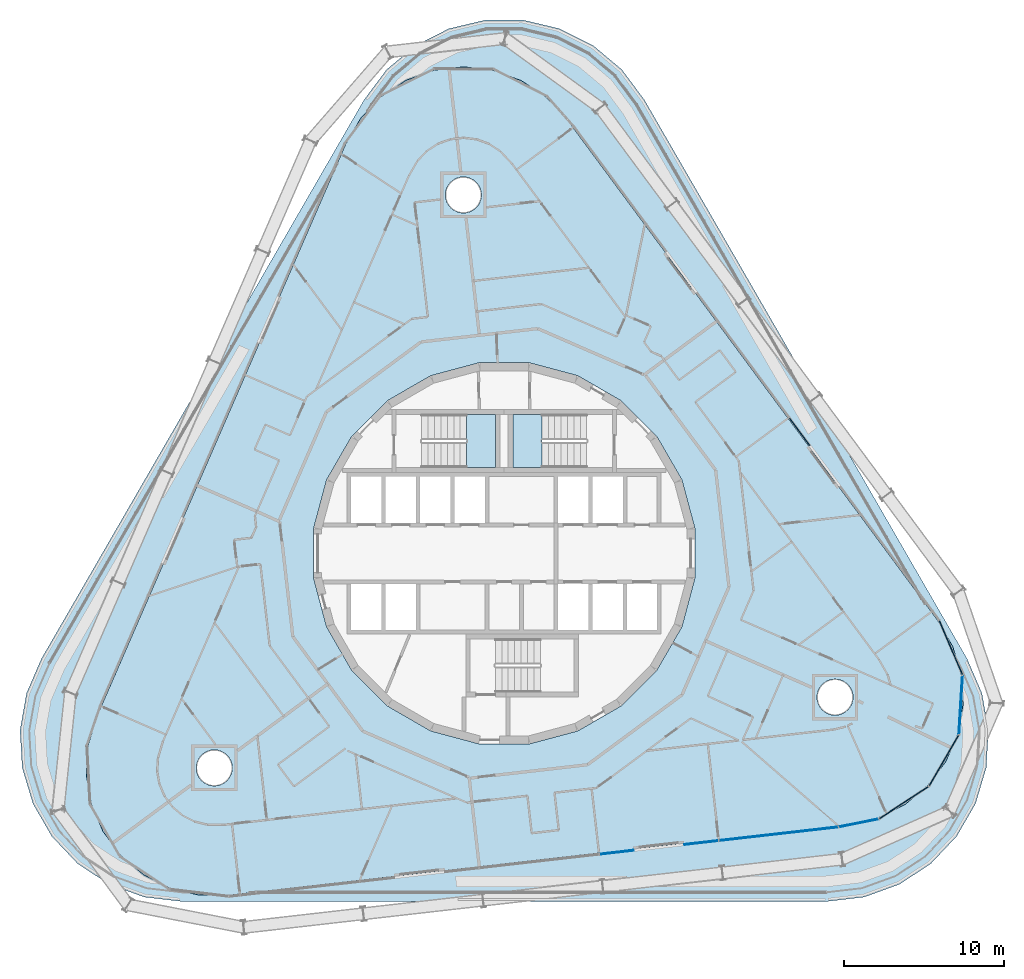
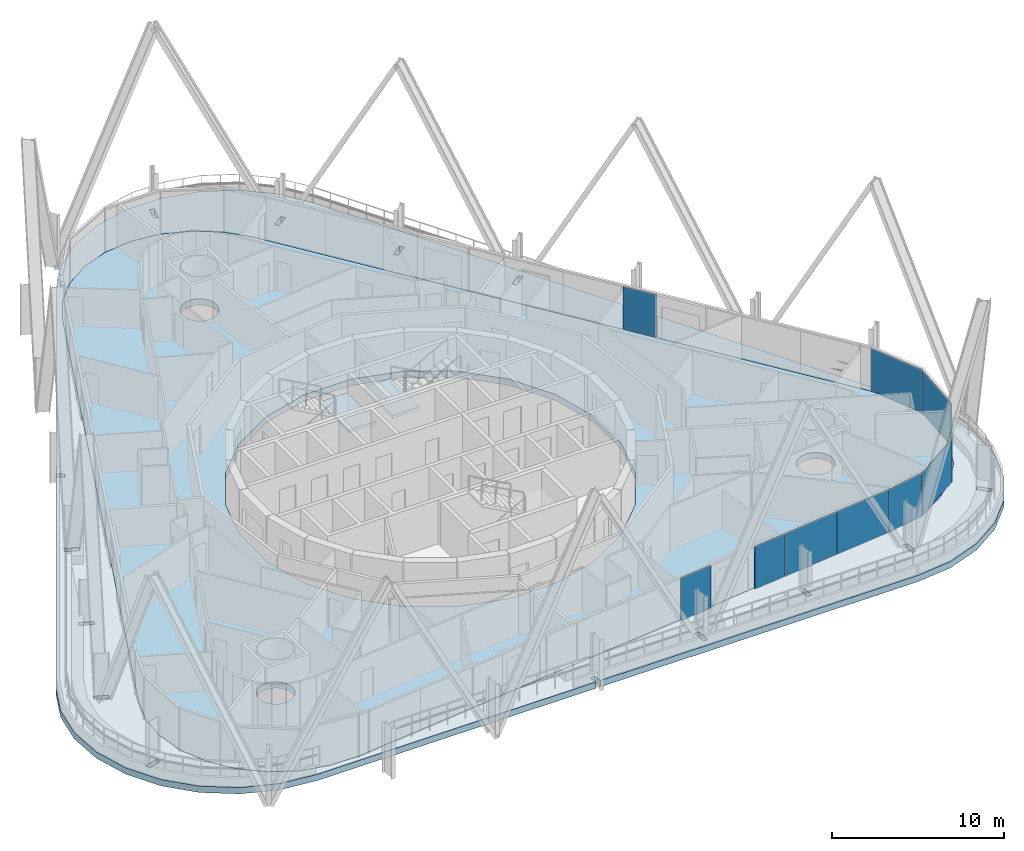
# One storey, part 14 of 32: 10 plates, 4 slabs, 5 elements without a shape of their own.
"""IFC4 building model written with IfcOpenShell, lengths in metres."""

from ifc_helpers import new_model, si_unit, direction, frame, origin, origin_2d, place, context, subcontext, project, spatial, polyline, rectangle, outline, extrude, material, layer, layer_set, type_object, element, aggregate, save


model = new_model("IFC4")

# Units and contexts
model_context = context("Model", 3, precision=1e-05, world=origin(), true_north=direction((0.0, 1.0)))
body_context = subcontext(model_context, "Body", "Model", "MODEL_VIEW")
ifc_project = project(units=[si_unit("LENGTHUNIT", "METRE"), si_unit("AREAUNIT", "SQUARE_METRE"), si_unit("VOLUMEUNIT", "CUBIC_METRE"), si_unit("PLANEANGLEUNIT", "RADIAN"), si_unit("MASSUNIT", "GRAM", prefix="KILO")], contexts=[model_context])

# Site, building, storey
site_placement = place(None, origin())
site = spatial("IfcSite", under=ifc_project, at=site_placement, CompositionType="ELEMENT")
building_placement = place(site_placement, origin())
building = spatial("IfcBuilding", under=site, at=building_placement, Name="Spindle Arch Residences", CompositionType="ELEMENT")
storey_placement = place(building_placement, frame((0.0, 0.0, 76.699951171875)))
storey = spatial("IfcBuildingStorey", under=building, at=storey_placement, Name="L17", CompositionType="ELEMENT", Elevation=76.699951171875)

# Slab
ifc_material_1 = material(Name="Concrete C40/50", Category="concrete")
ifc_layer_1 = layer(ifc_material_1, 0.449951171875)
ifc_layer_set_1 = layer_set([ifc_layer_1], Name="Compartment floor slab 450")
slab_type_1 = type_object("IfcSlabType", Name="Compartment floor slab 450", PredefinedType="FLOOR", material=ifc_layer_set_1)
slab_1_placement = place(storey_placement, frame((0.0, 0.0, -0.449951171875)))
element("IfcSlab", 1, at=slab_1_placement, inside=storey, type_object=slab_type_1, Name="Floor slab L17", PredefinedType="FLOOR", context=body_context, shape_type="SweptSolid", body=[
    extrude(outline(polyline([(-19.05078125, -21.335693359375), (-20.85693359375, -20.902099609375), (-22.514404296875, -20.0634765625), (-23.933837890625, -18.865478515625), (-25.038818359375, -17.372314453125), (-25.769287109375, -15.66455078125), (-26.086669921875, -13.83447265625), (-25.973388671875, -11.98046875), (-25.435302734375, -10.202392578125), (-9.88525390625, 25.560302734375), (-8.951904296875, 27.166259765625), (-7.673095703125, 28.513671875), (-6.118408203125, 29.52978515625), (-4.37109375, 30.159912109375), (-2.525390625, 30.370361328125), (-0.68115234375, 30.1494140625), (1.0625, 29.5087890625), (2.611328125, 28.483642578125), (3.882080078125, 27.12890625), (27.07861328125, -4.21923828125), (28.002685546875, -5.83056640625), (28.530029296875, -7.611572265625), (28.6328125, -9.46630859375), (28.304931640625, -11.294677734375), (27.564208984375, -12.998046875), (26.45068359375, -14.484619140625), (25.0244140625, -15.674560546875), (23.36181640625, -16.50341796875), (21.55322265625, -16.926513671875), (2.179931640625, -19.1337890625), (-17.193115234375, -21.341064453125), (-19.05078125, -21.335693359375)]), holes=[polyline([(7.30517578125, -9.520263671875), (9.520263671875, -7.30517578125), (11.086669921875, -4.59228515625), (11.897216796875, -1.56640625), (11.897216796875, 1.56640625), (11.086669921875, 4.59228515625), (9.520263671875, 7.30517578125), (7.30517578125, 9.520263671875), (4.59228515625, 11.086669921875), (1.56640625, 11.897216796875), (-1.56640625, 11.897216796875), (-4.59228515625, 11.086669921875), (-7.30517578125, 9.520263671875), (-9.520263671875, 7.30517578125), (-11.086669921875, 4.59228515625), (-11.897216796875, 1.56640625), (-11.897216796875, -1.56640625), (-11.086669921875, -4.59228515625), (-9.520263671875, -7.30517578125), (-7.30517578125, -9.520263671875), (-4.59228515625, -11.086669921875), (-1.56640625, -11.897216796875), (1.56640625, -11.897216796875), (4.59228515625, -11.086669921875), (7.30517578125, -9.520263671875)]), polyline([(-17.303466796875, -14.18798828125), (-17.16357421875, -14.017578125), (-17.0595703125, -13.822998046875), (-16.99560546875, -13.612060546875), (-16.973876953125, -13.392578125), (-16.99560546875, -13.173095703125), (-17.0595703125, -12.9619140625), (-17.16357421875, -12.767578125), (-17.303466796875, -12.596923828125), (-17.473876953125, -12.45703125), (-17.66845703125, -12.35302734375), (-17.87939453125, -12.2890625), (-18.098876953125, -12.267578125), (-18.318359375, -12.2890625), (-18.529296875, -12.35302734375), (-18.723876953125, -12.45703125), (-18.894287109375, -12.596923828125), (-19.0341796875, -12.767578125), (-19.13818359375, -12.9619140625), (-19.202392578125, -13.173095703125), (-19.223876953125, -13.392578125), (-19.202392578125, -13.612060546875), (-19.13818359375, -13.822998046875), (-19.0341796875, -14.017578125), (-18.894287109375, -14.18798828125), (-18.723876953125, -14.327880859375), (-18.529296875, -14.431884765625), (-18.318359375, -14.495849609375), (-18.098876953125, -14.517578125), (-17.87939453125, -14.495849609375), (-17.66845703125, -14.431884765625), (-17.473876953125, -14.327880859375), (-17.303466796875, -14.18798828125)]), polyline([(-1.75341796875, 21.57470703125), (-1.61328125, 21.745361328125), (-1.509521484375, 21.939697265625), (-1.4453125, 22.15087890625), (-1.423828125, 22.370361328125), (-1.4453125, 22.58984375), (-1.509521484375, 22.80078125), (-1.61328125, 22.995361328125), (-1.75341796875, 23.165771484375), (-1.923828125, 23.3056640625), (-2.118408203125, 23.40966796875), (-2.329345703125, 23.4736328125), (-2.548828125, 23.495361328125), (-2.768310546875, 23.4736328125), (-2.979248046875, 23.40966796875), (-3.173828125, 23.3056640625), (-3.34423828125, 23.165771484375), (-3.484130859375, 22.995361328125), (-3.588134765625, 22.80078125), (-3.652099609375, 22.58984375), (-3.673828125, 22.370361328125), (-3.652099609375, 22.15087890625), (-3.588134765625, 21.939697265625), (-3.484130859375, 21.745361328125), (-3.34423828125, 21.57470703125), (-3.173828125, 21.434814453125), (-2.979248046875, 21.330810546875), (-2.768310546875, 21.266845703125), (-2.548828125, 21.245361328125), (-2.329345703125, 21.266845703125), (-2.118408203125, 21.330810546875), (-1.923828125, 21.434814453125), (-1.75341796875, 21.57470703125)]), polyline([(21.443115234375, -9.773193359375), (21.5830078125, -9.602783203125), (21.68701171875, -9.408203125), (21.7509765625, -9.197265625), (21.772705078125, -8.977783203125), (21.7509765625, -8.75830078125), (21.68701171875, -8.54736328125), (21.5830078125, -8.352783203125), (21.443115234375, -8.182373046875), (21.272705078125, -8.04248046875), (21.078125, -7.9384765625), (20.8671875, -7.87451171875), (20.647705078125, -7.852783203125), (20.427978515625, -7.87451171875), (20.217041015625, -7.9384765625), (20.022705078125, -8.04248046875), (19.85205078125, -8.182373046875), (19.712158203125, -8.352783203125), (19.608154296875, -8.54736328125), (19.544189453125, -8.75830078125), (19.522705078125, -8.977783203125), (19.544189453125, -9.197265625), (19.608154296875, -9.408203125), (19.712158203125, -9.602783203125), (19.85205078125, -9.773193359375), (20.022705078125, -9.9130859375), (20.217041015625, -10.01708984375), (20.427978515625, -10.081298828125), (20.647705078125, -10.102783203125), (20.8671875, -10.081298828125), (21.078125, -10.01708984375), (21.272705078125, -9.9130859375), (21.443115234375, -9.773193359375)])]), origin(), (0.0, 0.0, 1.0), 0.449951171875),
])

# Stair, slab
ifc_material_2 = material(Name="Concrete C50/60", Category="concrete")
stair_type = type_object("IfcStairType", Name="Exit stair 16 risers", PredefinedType="HALF_TURN_STAIR", material=ifc_material_2)
stair_1_placement = place(storey_placement, origin())
stair_1 = element("IfcStair", 2, at=stair_1_placement, inside=storey, type_object=stair_type, Name="L17 Exit stair ST1", PredefinedType="HALF_TURN_STAIR")
ifc_material_3 = material(Name="Concrete C50/60", Category="concrete")
ifc_layer_2 = layer(ifc_material_3, 0.219970703125)
ifc_layer_set_2 = layer_set([ifc_layer_2], Name="Exit stair landing 220")
slab_type_2 = type_object("IfcSlabType", Name="Exit stair landing 220", PredefinedType="LANDING", material=ifc_layer_set_2)
slab_2_placement = place(storey_placement, frame((0.0, 0.0, 1.530029296875)))
slab_2 = element("IfcSlab", 3, at=slab_2_placement, type_object=slab_type_2, Name="ST1 landing 1", PredefinedType="LANDING", context=body_context, shape_type="SweptSolid", body=[
    extrude(outline(polyline([(2.3701171875, 8.669921875), (0.550048828125, 8.669921875), (0.550048828125, 5.35009765625), (2.3701171875, 5.35009765625), (2.3701171875, 8.669921875)])), origin(), (0.0, 0.0, 1.0), 0.219970703125),
])
aggregate(stair_1, [slab_2])

stair_2_placement = place(storey_placement, origin())
stair_2 = element("IfcStair", 4, at=stair_2_placement, inside=storey, type_object=stair_type, Name="L17 Exit stair ST2", PredefinedType="HALF_TURN_STAIR")
slab_3_placement = place(storey_placement, frame((0.0, 0.0, 1.530029296875)))
slab_3 = element("IfcSlab", 5, at=slab_3_placement, type_object=slab_type_2, Name="ST2 landing 1", PredefinedType="LANDING", context=body_context, shape_type="SweptSolid", body=[
    extrude(outline(polyline([(-2.3701171875, 5.35009765625), (-0.550048828125, 5.35009765625), (-0.550048828125, 8.669921875), (-2.3701171875, 8.669921875), (-2.3701171875, 5.35009765625)])), origin(), (0.0, 0.0, 1.0), 0.219970703125),
])
aggregate(stair_2, [slab_3])

# Slab
ifc_material_4 = material(Name="Concrete C40/50", Category="concrete")
ifc_layer_3 = layer(ifc_material_4, 0.449951171875)
ifc_layer_set_3 = layer_set([ifc_layer_3], Name="Terrace slab 450")
slab_type_3 = type_object("IfcSlabType", Name="Terrace slab 450", PredefinedType="FLOOR", material=ifc_layer_set_3)
slab_4_placement = place(storey_placement, frame((0.0, 0.0, -0.449951171875)))
element("IfcSlab", 6, at=slab_4_placement, inside=storey, type_object=slab_type_3, Name="Terrace slab L16", PredefinedType="FLOOR", context=body_context, shape_type="SweptSolid", body=[
    extrude(outline(polyline([(-22.472900390625, -21.457763671875), (-24.676513671875, -20.655517578125), (-26.6357421875, -19.366943359375), (-28.2451171875, -17.6611328125), (-29.41748046875, -15.63037109375), (-30.090087890625, -13.3837890625), (-30.2265625, -11.04248046875), (-29.8193359375, -8.733154296875), (-28.890380859375, -6.579833984375), (-18.240234375, 11.866943359375), (-17.734130859375, 11.64697265625), (-17.614501953125, 11.922119140625), (-18.089111328125, 12.12841796875), (-8.746826171875, 28.309814453125), (-7.346435546875, 30.19091796875), (-5.550048828125, 31.6982421875), (-3.454345703125, 32.750732421875), (-1.172607421875, 33.29150390625), (1.172607421875, 33.29150390625), (3.454345703125, 32.750732421875), (5.550048828125, 31.6982421875), (7.346435546875, 30.19091796875), (8.746826171875, 28.309814453125), (19.397216796875, 9.863037109375), (18.95361328125, 9.534912109375), (19.132080078125, 9.293701171875), (19.548095703125, 9.6015625), (28.890380859375, -6.579833984375), (29.8193359375, -8.733154296875), (30.2265625, -11.04248046875), (30.090087890625, -13.3837890625), (29.41748046875, -15.63037109375), (28.2451171875, -17.6611328125), (26.6357421875, -19.366943359375), (24.676513671875, -20.655517578125), (22.472900390625, -21.457763671875), (20.1435546875, -21.72998046875), (0.0, -21.72998046875), (-1.156982421875, -21.72998046875), (-1.219482421875, -21.181640625), (-1.517578125, -21.2158203125), (-1.458984375, -21.72998046875), (-20.1435546875, -21.72998046875), (-22.472900390625, -21.457763671875)]), holes=[polyline([(23.36181640625, -16.50341796875), (25.0244140625, -15.674560546875), (26.45068359375, -14.484619140625), (27.564208984375, -12.998046875), (28.304931640625, -11.294677734375), (28.6328125, -9.46630859375), (28.530029296875, -7.611572265625), (28.002685546875, -5.83056640625), (27.07861328125, -4.21923828125), (3.882080078125, 27.12890625), (2.611328125, 28.483642578125), (1.0625, 29.5087890625), (-0.68115234375, 30.1494140625), (-2.525390625, 30.370361328125), (-4.37109375, 30.159912109375), (-6.118408203125, 29.52978515625), (-7.673095703125, 28.513671875), (-8.951904296875, 27.166259765625), (-9.88525390625, 25.560302734375), (-25.435302734375, -10.202392578125), (-25.973388671875, -11.98046875), (-26.086669921875, -13.83447265625), (-25.769287109375, -15.66455078125), (-25.038818359375, -17.372314453125), (-23.933837890625, -18.865478515625), (-22.514404296875, -20.0634765625), (-20.85693359375, -20.902099609375), (-19.05078125, -21.335693359375), (-17.193115234375, -21.341064453125), (2.179931640625, -19.1337890625), (21.55322265625, -16.926513671875), (23.36181640625, -16.50341796875)]), polyline([(-27.45166015625, -15.7734375), (-28.3203125, -16.009033203125), (-28.241943359375, -16.298583984375), (-27.373291015625, -16.06298828125), (-27.45166015625, -15.7734375)]), polyline([(-26.60888671875, -8.763671875), (-27.434326171875, -8.40478515625), (-27.553955078125, -8.6796875), (-26.728515625, -9.038818359375), (-26.60888671875, -8.763671875)]), polyline([(-24.436279296875, -1.509521484375), (-24.555908203125, -1.78466796875), (-23.73046875, -2.1435546875), (-23.61083984375, -1.868408203125), (-24.436279296875, -1.509521484375)]), polyline([(-20.61279296875, 5.02685546875), (-21.43798828125, 5.3857421875), (-21.5576171875, 5.110595703125), (-20.732421875, 4.751708984375), (-20.61279296875, 5.02685546875)]), polyline([(6.054931640625, -21.2587890625), (6.35302734375, -21.224853515625), (6.251220703125, -20.33056640625), (5.952880859375, -20.364501953125), (6.054931640625, -21.2587890625)]), polyline([(13.423583984375, -19.513427734375), (13.525390625, -20.40771484375), (13.823486328125, -20.37353515625), (13.7216796875, -19.4794921875), (13.423583984375, -19.513427734375)]), polyline([(20.89404296875, -18.662109375), (20.995849609375, -19.556396484375), (21.2939453125, -19.5224609375), (21.192138671875, -18.628173828125), (20.89404296875, -18.662109375)]), polyline([(28.0244140625, -16.521484375), (28.23583984375, -16.308837890625), (27.59765625, -15.67431640625), (27.385986328125, -15.88720703125), (28.0244140625, -16.521484375)]), polyline([(14.65966796875, 15.337890625), (15.38330078125, 15.873046875), (15.20458984375, 16.1142578125), (14.481201171875, 15.578857421875), (14.65966796875, 15.337890625)]), polyline([(10.910888671875, 21.9169921875), (10.732421875, 22.158203125), (10.0087890625, 21.622802734375), (10.187255859375, 21.3818359375), (10.910888671875, 21.9169921875)]), polyline([(5.715087890625, 27.42578125), (6.4384765625, 27.961181640625), (6.260009765625, 28.202392578125), (5.53662109375, 27.6669921875), (5.715087890625, 27.42578125)]), polyline([(0.065673828125, 31.66064453125), (0.2958984375, 32.530517578125), (0.005859375, 32.607421875), (-0.224365234375, 31.7373046875), (0.065673828125, 31.66064453125)])]), origin(), (0.0, 0.0, 1.0), 0.449951171875),
])

# Curtain wall, plates
ifc_material_5 = material(Name="Aluminium bronze unitised frame with tinted glass", Category="aluminium")
ifc_layer_4 = layer(ifc_material_5, 0.159912109375)
ifc_layer_set_4 = layer_set([ifc_layer_4], Name="CW-D corner wall on the fillet arcs")
curtain_wall_type_1 = type_object("IfcCurtainWallType", Name="CW-D corner wall on the fillet arcs", PredefinedType="NOTDEFINED", material=ifc_layer_set_4)
curtain_wall_1_placement = place(storey_placement, origin())
curtain_wall_1 = element("IfcCurtainWall", 7, at=curtain_wall_1_placement, inside=storey, type_object=curtain_wall_type_1, Name="CW-D L17 run 1", PredefinedType="NOTDEFINED")
ifc_material_6 = material(Name="Tinted double glazing over aluminium faced non-combustible spandrel zone (K0)", Category="aluminium")
ifc_layer_5 = layer(ifc_material_6, 0.06005859375)
ifc_layer_set_5 = layer_set([ifc_layer_5], Name="Unitised glass panel with E 60 spandrel zone")
plate_type = type_object("IfcPlateType", Name="Unitised glass panel with E 60 spandrel zone", PredefinedType="CURTAIN_PANEL", material=ifc_layer_set_5)
plate_1_placement = place(storey_placement, frame((22.127197265625, -16.83203125, -0.44970703125), z_axis=(0.0, 0.0, 1.0), x_axis=(0.980430998553, 0.196863041416, 0.0)))
plate_1 = element("IfcPlate", 8, at=plate_1_placement, type_object=plate_type, Name="CW-D unit 00", PredefinedType="CURTAIN_PANEL", context=body_context, shape_type="SweptSolid", body=[
    extrude(rectangle(XDim=2.51416015625, YDim=0.06005859375, at=origin_2d()), origin(), (0.0, 0.0, 1.0), 3.449951171875),
])
plate_2_placement = place(storey_placement, frame((24.948974609375, -15.55908203125, -0.44970703125), z_axis=(0.0, 0.0, 1.0), x_axis=(0.83708272954, 0.547076323657, 0.0)))
plate_2 = element("IfcPlate", 9, at=plate_2_placement, type_object=plate_type, Name="CW-D unit 01", PredefinedType="CURTAIN_PANEL", context=body_context, shape_type="SweptSolid", body=[
    extrude(rectangle(XDim=3.666748046875, YDim=0.06005859375, at=origin_2d()), origin(), (0.0, 0.0, 1.0), 3.449951171875),
])
plate_3_placement = place(storey_placement, frame((27.445068359375, -12.9287109375, -0.44970703125), z_axis=(0.0, 0.0, 1.0), x_axis=(0.502517045345, 0.864567301682, 0.0)))
plate_3 = element("IfcPlate", 10, at=plate_3_placement, type_object=plate_type, Name="CW-D unit 02", PredefinedType="CURTAIN_PANEL", context=body_context, shape_type="SweptSolid", body=[
    extrude(rectangle(XDim=3.666748046875, YDim=0.06005859375, at=origin_2d()), origin(), (0.0, 0.0, 1.0), 3.449951171875),
])
plate_4_placement = place(storey_placement, frame((28.4951171875, -9.457763671875, -0.44970703125), z_axis=(0.0, 0.0, 1.0), x_axis=(0.06104853612, 0.998134798631, 0.0)))
plate_4 = element("IfcPlate", 11, at=plate_4_placement, type_object=plate_type, Name="CW-D unit 03", PredefinedType="CURTAIN_PANEL", context=body_context, shape_type="SweptSolid", body=[
    extrude(rectangle(XDim=3.666748046875, YDim=0.06005859375, at=origin_2d()), origin(), (0.0, 0.0, 1.0), 3.449951171875),
])
plate_5_placement = place(storey_placement, frame((27.8759765625, -5.884765625, -0.44970703125), z_axis=(0.0, 0.0, 1.0), x_axis=(-0.393407112882, 0.919364369298, 0.0)))
plate_5 = element("IfcPlate", 12, at=plate_5_placement, type_object=plate_type, Name="CW-D unit 04", PredefinedType="CURTAIN_PANEL", context=body_context, shape_type="SweptSolid", body=[
    extrude(rectangle(XDim=3.666748046875, YDim=0.06005859375, at=origin_2d()), origin(), (0.0, 0.0, 1.0), 3.449951171875),
])
aggregate(curtain_wall_1, [plate_1, plate_2, plate_3, plate_4, plate_5])

# Curtain wall, plate
ifc_material_7 = material(Name="Aluminium bronze unitised frame with tinted glass", Category="aluminium")
ifc_layer_6 = layer(ifc_material_7, 0.159912109375)
ifc_layer_set_6 = layer_set([ifc_layer_6], Name="CW-C typical residential unitised wall")
curtain_wall_type_2 = type_object("IfcCurtainWallType", Name="CW-C typical residential unitised wall", PredefinedType="NOTDEFINED", material=ifc_layer_set_6)
curtain_wall_2_placement = place(storey_placement, origin())
curtain_wall_2 = element("IfcCurtainWall", 13, at=curtain_wall_2_placement, inside=storey, type_object=curtain_wall_type_2, Name="CW-C L17 run 2", PredefinedType="NOTDEFINED")
plate_6_placement = place(storey_placement, frame((18.431884765625, 7.600341796875, -0.44970703125), z_axis=(0.0, 0.0, 1.0), x_axis=(-0.594822786751, 0.803856860617, 0.0)))
plate_6 = element("IfcPlate", 14, at=plate_6_placement, type_object=plate_type, Name="CW-C unit 06R", PredefinedType="CURTAIN_PANEL", context=body_context, shape_type="SweptSolid", body=[
    extrude(rectangle(XDim=2.12939453125, YDim=0.06005859375, at=origin_2d()), origin(), (0.0, 0.0, 1.0), 3.449951171875),
])
aggregate(curtain_wall_2, [plate_6])

# Curtain wall, plates
curtain_wall_3_placement = place(storey_placement, origin())
curtain_wall_3 = element("IfcCurtainWall", 15, at=curtain_wall_3_placement, inside=storey, type_object=curtain_wall_type_2, Name="CW-C L17 run 6", PredefinedType="NOTDEFINED")
plate_7_placement = place(storey_placement, frame((7.011962890625, -18.663818359375, -0.44970703125), z_axis=(0.0, 0.0, 1.0), x_axis=(0.993571855677, 0.113203213768, 0.0)))
plate_7 = element("IfcPlate", 16, at=plate_7_placement, type_object=plate_type, Name="CW-C unit 00L", PredefinedType="CURTAIN_PANEL", context=body_context, shape_type="SweptSolid", body=[
    extrude(rectangle(XDim=2.12939453125, YDim=0.06005859375, at=origin_2d()), origin(), (0.0, 0.0, 1.0), 3.449951171875),
])
plate_8_placement = place(storey_placement, frame((12.30712890625, -18.060302734375, -0.44970703125), z_axis=(0.0, 0.0, 1.0), x_axis=(0.993571855677, 0.113203213768, 0.0)))
plate_8 = element("IfcPlate", 17, at=plate_8_placement, type_object=plate_type, Name="CW-C unit 00R", PredefinedType="CURTAIN_PANEL", context=body_context, shape_type="SweptSolid", body=[
    extrude(rectangle(XDim=2.12939453125, YDim=0.06005859375, at=origin_2d()), origin(), (0.0, 0.0, 1.0), 3.449951171875),
])
plate_9_placement = place(storey_placement, frame((15.27734375, -17.721923828125, -0.44970703125), z_axis=(0.0, 0.0, 1.0), x_axis=(0.993571855677, 0.113203213768, 0.0)))
plate_9 = element("IfcPlate", 18, at=plate_9_placement, type_object=plate_type, Name="CW-C unit 01A", PredefinedType="CURTAIN_PANEL", context=body_context, shape_type="SweptSolid", body=[
    extrude(rectangle(XDim=3.7294921875, YDim=0.06005859375, at=origin_2d()), origin(), (0.0, 0.0, 1.0), 3.449951171875),
])
plate_10_placement = place(storey_placement, frame((18.982666015625, -17.2998046875, -0.44970703125), z_axis=(0.0, 0.0, 1.0), x_axis=(0.993571855677, 0.113203213768, 0.0)))
plate_10 = element("IfcPlate", 19, at=plate_10_placement, type_object=plate_type, Name="CW-C unit 01B", PredefinedType="CURTAIN_PANEL", context=body_context, shape_type="SweptSolid", body=[
    extrude(rectangle(XDim=3.7294921875, YDim=0.06005859375, at=origin_2d()), origin(), (0.0, 0.0, 1.0), 3.449951171875),
])
aggregate(curtain_wall_3, [plate_7, plate_8, plate_9, plate_10])

save(model, "model.ifc")
